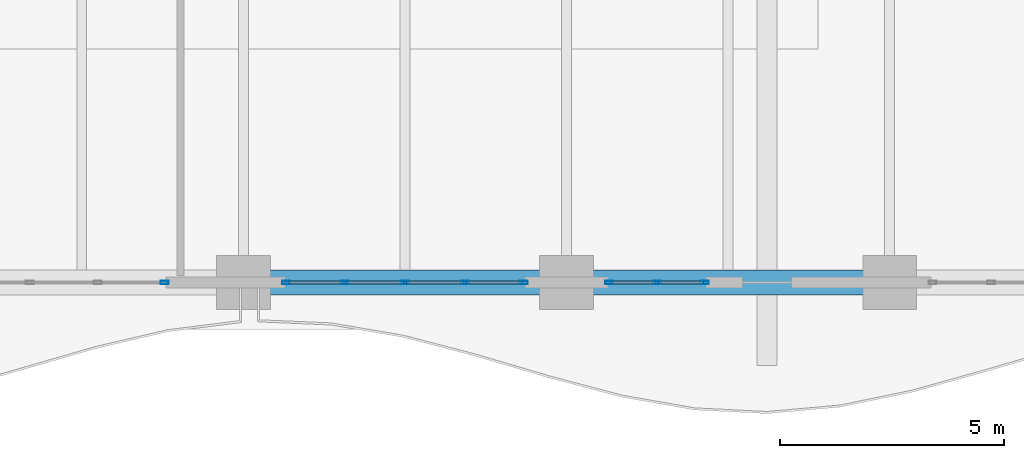
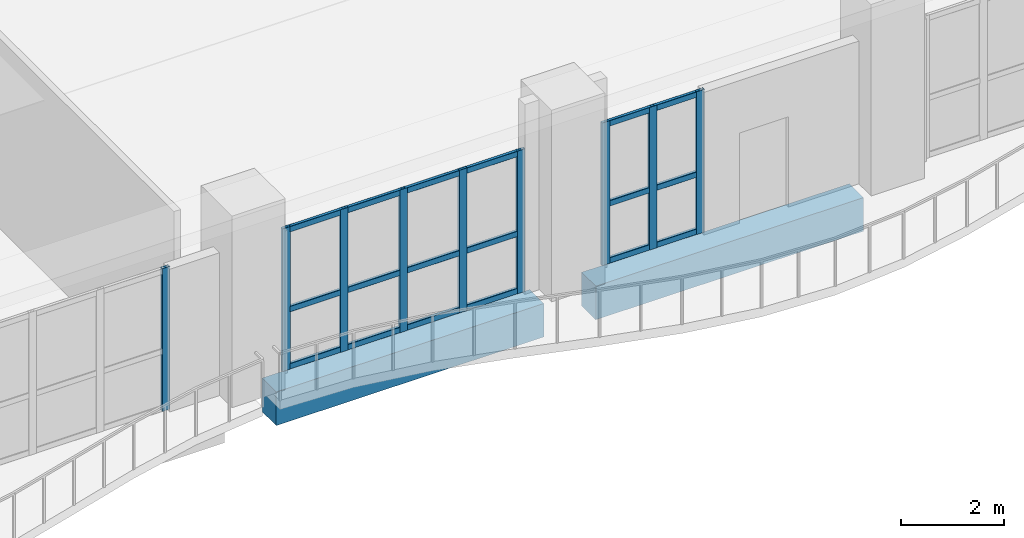
# One storey, part 14 of 37: 27 members, 2 beams, 3 elements without a shape of their own.
"""IFC4 building model written with IfcOpenShell, lengths in metres."""

from ifc_helpers import new_model, si_unit, direction, frame, origin, origin_2d, place, context, subcontext, project, spatial, rectangle, hollow_rectangle, extrude, material, layer, layer_set, material_profile, profile_set, type_object, element, aggregate, save


model = new_model("IFC4")

# Units and contexts
model_context = context("Model", 3, precision=1e-05, world=origin(), true_north=direction((0.0, 1.0)))
body_context = subcontext(model_context, "Body", "Model", "MODEL_VIEW")
ifc_project = project(units=[si_unit("LENGTHUNIT", "METRE"), si_unit("AREAUNIT", "SQUARE_METRE"), si_unit("VOLUMEUNIT", "CUBIC_METRE"), si_unit("PLANEANGLEUNIT", "RADIAN"), si_unit("MASSUNIT", "GRAM", prefix="KILO")], contexts=[model_context])

# Site, building, storey
site_placement = place(None, origin())
site = spatial("IfcSite", under=ifc_project, at=site_placement, CompositionType="ELEMENT")
building_placement = place(site_placement, origin())
building = spatial("IfcBuilding", under=site, at=building_placement, Name="Kaelvorn Grand Hotel", CompositionType="ELEMENT")
storey_placement = place(building_placement, frame((0.0, 0.0, 224.35009765625)))
storey = spatial("IfcBuildingStorey", under=building, at=storey_placement, Name="L55", CompositionType="ELEMENT", Elevation=224.35009765625)

# Beams
ifc_material_1 = material(Name="Concrete C50/60", Category="concrete")
ifc_material_profile_1 = material_profile(ifc_material_1, rectangle(XDim=0.550048828125, YDim=0.800048828125, at=origin_2d()), Name="RC SPANDREL 550x800")
ifc_profile_set_1 = profile_set([ifc_material_profile_1], Name="Concrete C50/60")
beam_type = type_object("IfcBeamType", Name="BM-SP-550x800-C50", PredefinedType="SPANDREL", material=ifc_profile_set_1)
beam_1_placement = place(storey_placement, frame((53.985107421875, 3.0, -0.64013671875), z_axis=(1.0, 0.0, 0.0), x_axis=(0.0, 1.0, 0.0)))
element("IfcBeam", 1, at=beam_1_placement, inside=storey, type_object=beam_type, Name="L55 South Perimeter Spandrel 08", PredefinedType="SPANDREL", context=body_context, shape_type="SweptSolid", body=[
    extrude(rectangle(XDim=0.550048828125, YDim=0.800048828125, at=origin_2d()), origin(), (0.0, 0.0, 1.0), 6.02978515625),
])
beam_2_placement = place(storey_placement, frame((61.18505859375, 3.0, -0.64013671875), z_axis=(1.0, 0.0, 0.0), x_axis=(0.0, 1.0, 0.0)))
element("IfcBeam", 2, at=beam_2_placement, inside=storey, type_object=beam_type, Name="L55 South Perimeter Spandrel 09", PredefinedType="SPANDREL", context=body_context, shape_type="SweptSolid", body=[
    extrude(rectangle(XDim=0.550048828125, YDim=0.800048828125, at=origin_2d()), origin(), (0.0, 0.0, 1.0), 6.030029296875),
])

# Curtain wall, member
ifc_material_2 = material(Name="Anodised Aluminium", Category="aluminium")
ifc_layer = layer(ifc_material_2, 0.179931640625)
ifc_layer_set = layer_set([ifc_layer], Name="Anodised Aluminium")
curtain_wall_type = type_object("IfcCurtainWallType", Name="CW-SYS4", PredefinedType="NOTDEFINED", material=ifc_layer_set)
curtain_wall_1_placement = place(storey_placement, origin())
curtain_wall_1 = element("IfcCurtainWall", 3, at=curtain_wall_1_placement, inside=storey, type_object=curtain_wall_type, Name="L55 Unitised Curtain Wall CW4 (CW-L55-SB3-01)", PredefinedType="NOTDEFINED")
ifc_material_profile_2 = material_profile(ifc_material_2, hollow_rectangle(XDim=0.070068359375, YDim=0.179931640625, WallThickness=0.00390625, InnerFilletRadius=0.00390625, OuterFilletRadius=0.008056640625, at=origin_2d()), Name="ALU MULL 70x180")
ifc_profile_set_2 = profile_set([ifc_material_profile_2], Name="Anodised Aluminium")
member_type_1 = type_object("IfcMemberType", Name="CW-SYS4-MULL", PredefinedType="MULLION", material=ifc_profile_set_2)
member_1_placement = place(storey_placement, frame((51.64501953125, 3.0, 0.0), z_axis=(0.0, 0.0, 1.0), x_axis=(0.0, 1.0, 0.0)))
member_1 = element("IfcMember", 4, at=member_1_placement, type_object=member_type_1, Name="CW4 mullion 4", PredefinedType="MULLION", context=body_context, shape_type="SweptSolid", body=[
    extrude(hollow_rectangle(XDim=0.070068359375, YDim=0.179931640625, WallThickness=0.00390625, InnerFilletRadius=0.00390625, OuterFilletRadius=0.008056640625, at=origin_2d()), origin(), (0.0, 0.0, 1.0), 3.39990234375),
])
aggregate(curtain_wall_1, [member_1])

# Curtain wall, members
curtain_wall_2_placement = place(storey_placement, origin())
curtain_wall_2 = element("IfcCurtainWall", 5, at=curtain_wall_2_placement, inside=storey, type_object=curtain_wall_type, Name="L55 Unitised Curtain Wall CW4 (CW-L55-SB3-02)", PredefinedType="NOTDEFINED")
member_2_placement = place(storey_placement, frame((54.35498046875, 3.0, 0.0), z_axis=(0.0, 0.0, 1.0), x_axis=(0.0, 1.0, 0.0)))
member_2 = element("IfcMember", 6, at=member_2_placement, type_object=member_type_1, Name="CW4 mullion 1", PredefinedType="MULLION", context=body_context, shape_type="SweptSolid", body=[
    extrude(hollow_rectangle(XDim=0.070068359375, YDim=0.179931640625, WallThickness=0.00390625, InnerFilletRadius=0.00390625, OuterFilletRadius=0.008056640625, at=origin_2d()), origin(), (0.0, 0.0, 1.0), 3.39990234375),
])
member_3_placement = place(storey_placement, frame((55.659912109375, 3.0, 0.0), z_axis=(0.0, 0.0, 1.0), x_axis=(0.0, 1.0, 0.0)))
member_3 = element("IfcMember", 7, at=member_3_placement, type_object=member_type_1, Name="CW4 mullion 2", PredefinedType="MULLION", context=body_context, shape_type="SweptSolid", body=[
    extrude(hollow_rectangle(XDim=0.070068359375, YDim=0.179931640625, WallThickness=0.00390625, InnerFilletRadius=0.00390625, OuterFilletRadius=0.008056640625, at=origin_2d()), origin(), (0.0, 0.0, 1.0), 3.39990234375),
])
member_4_placement = place(storey_placement, frame((57.0, 3.0, 0.0), z_axis=(0.0, 0.0, 1.0), x_axis=(0.0, 1.0, 0.0)))
member_4 = element("IfcMember", 8, at=member_4_placement, type_object=member_type_1, Name="CW4 mullion 3", PredefinedType="MULLION", context=body_context, shape_type="SweptSolid", body=[
    extrude(hollow_rectangle(XDim=0.070068359375, YDim=0.179931640625, WallThickness=0.00390625, InnerFilletRadius=0.00390625, OuterFilletRadius=0.008056640625, at=origin_2d()), origin(), (0.0, 0.0, 1.0), 3.39990234375),
])
member_5_placement = place(storey_placement, frame((58.340087890625, 3.0, 0.0), z_axis=(0.0, 0.0, 1.0), x_axis=(0.0, 1.0, 0.0)))
member_5 = element("IfcMember", 9, at=member_5_placement, type_object=member_type_1, Name="CW4 mullion 4", PredefinedType="MULLION", context=body_context, shape_type="SweptSolid", body=[
    extrude(hollow_rectangle(XDim=0.070068359375, YDim=0.179931640625, WallThickness=0.00390625, InnerFilletRadius=0.00390625, OuterFilletRadius=0.008056640625, at=origin_2d()), origin(), (0.0, 0.0, 1.0), 3.39990234375),
])
member_6_placement = place(storey_placement, frame((59.64501953125, 3.0, 0.0), z_axis=(0.0, 0.0, 1.0), x_axis=(0.0, 1.0, 0.0)))
member_6 = element("IfcMember", 10, at=member_6_placement, type_object=member_type_1, Name="CW4 mullion 5", PredefinedType="MULLION", context=body_context, shape_type="SweptSolid", body=[
    extrude(hollow_rectangle(XDim=0.070068359375, YDim=0.179931640625, WallThickness=0.00390625, InnerFilletRadius=0.00390625, OuterFilletRadius=0.008056640625, at=origin_2d()), origin(), (0.0, 0.0, 1.0), 3.39990234375),
])

curtain_wall_3_placement = place(storey_placement, origin())
curtain_wall_3 = element("IfcCurtainWall", 11, at=curtain_wall_3_placement, inside=storey, type_object=curtain_wall_type, Name="L55 Unitised Curtain Wall CW4 (CW-L55-SB3-03)", PredefinedType="NOTDEFINED")
member_7_placement = place(storey_placement, frame((61.554931640625, 3.0, 0.0), z_axis=(0.0, 0.0, 1.0), x_axis=(0.0, 1.0, 0.0)))
member_7 = element("IfcMember", 12, at=member_7_placement, type_object=member_type_1, Name="CW4 mullion 1", PredefinedType="MULLION", context=body_context, shape_type="SweptSolid", body=[
    extrude(hollow_rectangle(XDim=0.070068359375, YDim=0.179931640625, WallThickness=0.00390625, InnerFilletRadius=0.00390625, OuterFilletRadius=0.008056640625, at=origin_2d()), origin(), (0.0, 0.0, 1.0), 3.39990234375),
])
member_8_placement = place(storey_placement, frame((62.618408203125, 3.0, 0.0), z_axis=(0.0, 0.0, 1.0), x_axis=(0.0, 1.0, 0.0)))
member_8 = element("IfcMember", 13, at=member_8_placement, type_object=member_type_1, Name="CW4 mullion 2", PredefinedType="MULLION", context=body_context, shape_type="SweptSolid", body=[
    extrude(hollow_rectangle(XDim=0.070068359375, YDim=0.179931640625, WallThickness=0.00390625, InnerFilletRadius=0.00390625, OuterFilletRadius=0.008056640625, at=origin_2d()), origin(), (0.0, 0.0, 1.0), 3.39990234375),
])
member_9_placement = place(storey_placement, frame((63.681640625, 3.0, 0.0), z_axis=(0.0, 0.0, 1.0), x_axis=(0.0, 1.0, 0.0)))
member_9 = element("IfcMember", 14, at=member_9_placement, type_object=member_type_1, Name="CW4 mullion 3", PredefinedType="MULLION", context=body_context, shape_type="SweptSolid", body=[
    extrude(hollow_rectangle(XDim=0.070068359375, YDim=0.179931640625, WallThickness=0.00390625, InnerFilletRadius=0.00390625, OuterFilletRadius=0.008056640625, at=origin_2d()), origin(), (0.0, 0.0, 1.0), 3.39990234375),
])

# Member
ifc_material_profile_3 = material_profile(ifc_material_2, hollow_rectangle(XDim=0.070068359375, YDim=0.135009765625, WallThickness=0.00341796875, InnerFilletRadius=0.00341796875, OuterFilletRadius=0.007080078125, at=origin_2d()), Name="ALU TRAN 70x135")
ifc_profile_set_3 = profile_set([ifc_material_profile_3], Name="Anodised Aluminium")
member_type_2 = type_object("IfcMemberType", Name="CW-SYS4-TRAN", PredefinedType="NOTDEFINED", material=ifc_profile_set_3)
member_10_placement = place(storey_placement, frame((54.389892578125, 3.0, 0.0673828125), z_axis=(1.0, 0.0, 0.0), x_axis=(0.0, 1.0, 0.0)))
member_10 = element("IfcMember", 15, at=member_10_placement, type_object=member_type_2, Name="CW4 transom 1.1", ObjectType="TRANSOM", PredefinedType="USERDEFINED", context=body_context, shape_type="SweptSolid", body=[
    extrude(hollow_rectangle(XDim=0.070068359375, YDim=0.135009765625, WallThickness=0.00341796875, InnerFilletRadius=0.00341796875, OuterFilletRadius=0.007080078125, at=origin_2d()), origin(), (0.0, 0.0, 1.0), 1.235107421875),
])

member_11_placement = place(storey_placement, frame((54.389892578125, 3.0, 1.427978515625), z_axis=(1.0, 0.0, 0.0), x_axis=(0.0, 1.0, 0.0)))
member_11 = element("IfcMember", 16, at=member_11_placement, type_object=member_type_2, Name="CW4 transom 1.2", ObjectType="TRANSOM", PredefinedType="USERDEFINED", context=body_context, shape_type="SweptSolid", body=[
    extrude(hollow_rectangle(XDim=0.070068359375, YDim=0.135009765625, WallThickness=0.00341796875, InnerFilletRadius=0.00341796875, OuterFilletRadius=0.007080078125, at=origin_2d()), origin(), (0.0, 0.0, 1.0), 1.235107421875),
])

member_12_placement = place(storey_placement, frame((54.389892578125, 3.0, 3.33251953125), z_axis=(1.0, 0.0, 0.0), x_axis=(0.0, 1.0, 0.0)))
member_12 = element("IfcMember", 17, at=member_12_placement, type_object=member_type_2, Name="CW4 transom 1.3", ObjectType="TRANSOM", PredefinedType="USERDEFINED", context=body_context, shape_type="SweptSolid", body=[
    extrude(hollow_rectangle(XDim=0.070068359375, YDim=0.135009765625, WallThickness=0.00341796875, InnerFilletRadius=0.00341796875, OuterFilletRadius=0.007080078125, at=origin_2d()), origin(), (0.0, 0.0, 1.0), 1.235107421875),
])

member_13_placement = place(storey_placement, frame((55.695068359375, 3.0, 0.0673828125), z_axis=(1.0, 0.0, 0.0), x_axis=(0.0, 1.0, 0.0)))
member_13 = element("IfcMember", 18, at=member_13_placement, type_object=member_type_2, Name="CW4 transom 2.1", ObjectType="TRANSOM", PredefinedType="USERDEFINED", context=body_context, shape_type="SweptSolid", body=[
    extrude(hollow_rectangle(XDim=0.070068359375, YDim=0.135009765625, WallThickness=0.00341796875, InnerFilletRadius=0.00341796875, OuterFilletRadius=0.007080078125, at=origin_2d()), origin(), (0.0, 0.0, 1.0), 1.27001953125),
])

member_14_placement = place(storey_placement, frame((55.695068359375, 3.0, 1.427978515625), z_axis=(1.0, 0.0, 0.0), x_axis=(0.0, 1.0, 0.0)))
member_14 = element("IfcMember", 19, at=member_14_placement, type_object=member_type_2, Name="CW4 transom 2.2", ObjectType="TRANSOM", PredefinedType="USERDEFINED", context=body_context, shape_type="SweptSolid", body=[
    extrude(hollow_rectangle(XDim=0.070068359375, YDim=0.135009765625, WallThickness=0.00341796875, InnerFilletRadius=0.00341796875, OuterFilletRadius=0.007080078125, at=origin_2d()), origin(), (0.0, 0.0, 1.0), 1.27001953125),
])

member_15_placement = place(storey_placement, frame((55.695068359375, 3.0, 3.33251953125), z_axis=(1.0, 0.0, 0.0), x_axis=(0.0, 1.0, 0.0)))
member_15 = element("IfcMember", 20, at=member_15_placement, type_object=member_type_2, Name="CW4 transom 2.3", ObjectType="TRANSOM", PredefinedType="USERDEFINED", context=body_context, shape_type="SweptSolid", body=[
    extrude(hollow_rectangle(XDim=0.070068359375, YDim=0.135009765625, WallThickness=0.00341796875, InnerFilletRadius=0.00341796875, OuterFilletRadius=0.007080078125, at=origin_2d()), origin(), (0.0, 0.0, 1.0), 1.27001953125),
])

member_16_placement = place(storey_placement, frame((57.034912109375, 3.0, 0.0673828125), z_axis=(1.0, 0.0, 0.0), x_axis=(0.0, 1.0, 0.0)))
member_16 = element("IfcMember", 21, at=member_16_placement, type_object=member_type_2, Name="CW4 transom 3.1", ObjectType="TRANSOM", PredefinedType="USERDEFINED", context=body_context, shape_type="SweptSolid", body=[
    extrude(hollow_rectangle(XDim=0.070068359375, YDim=0.135009765625, WallThickness=0.00341796875, InnerFilletRadius=0.00341796875, OuterFilletRadius=0.007080078125, at=origin_2d()), origin(), (0.0, 0.0, 1.0), 1.27001953125),
])

member_17_placement = place(storey_placement, frame((57.034912109375, 3.0, 1.427978515625), z_axis=(1.0, 0.0, 0.0), x_axis=(0.0, 1.0, 0.0)))
member_17 = element("IfcMember", 22, at=member_17_placement, type_object=member_type_2, Name="CW4 transom 3.2", ObjectType="TRANSOM", PredefinedType="USERDEFINED", context=body_context, shape_type="SweptSolid", body=[
    extrude(hollow_rectangle(XDim=0.070068359375, YDim=0.135009765625, WallThickness=0.00341796875, InnerFilletRadius=0.00341796875, OuterFilletRadius=0.007080078125, at=origin_2d()), origin(), (0.0, 0.0, 1.0), 1.27001953125),
])

member_18_placement = place(storey_placement, frame((57.034912109375, 3.0, 3.33251953125), z_axis=(1.0, 0.0, 0.0), x_axis=(0.0, 1.0, 0.0)))
member_18 = element("IfcMember", 23, at=member_18_placement, type_object=member_type_2, Name="CW4 transom 3.3", ObjectType="TRANSOM", PredefinedType="USERDEFINED", context=body_context, shape_type="SweptSolid", body=[
    extrude(hollow_rectangle(XDim=0.070068359375, YDim=0.135009765625, WallThickness=0.00341796875, InnerFilletRadius=0.00341796875, OuterFilletRadius=0.007080078125, at=origin_2d()), origin(), (0.0, 0.0, 1.0), 1.27001953125),
])

member_19_placement = place(storey_placement, frame((58.375, 3.0, 0.0673828125), z_axis=(1.0, 0.0, 0.0), x_axis=(0.0, 1.0, 0.0)))
member_19 = element("IfcMember", 24, at=member_19_placement, type_object=member_type_2, Name="CW4 transom 4.1", ObjectType="TRANSOM", PredefinedType="USERDEFINED", context=body_context, shape_type="SweptSolid", body=[
    extrude(hollow_rectangle(XDim=0.070068359375, YDim=0.135009765625, WallThickness=0.00341796875, InnerFilletRadius=0.00341796875, OuterFilletRadius=0.007080078125, at=origin_2d()), origin(), (0.0, 0.0, 1.0), 1.235107421875),
])

member_20_placement = place(storey_placement, frame((58.375, 3.0, 1.427978515625), z_axis=(1.0, 0.0, 0.0), x_axis=(0.0, 1.0, 0.0)))
member_20 = element("IfcMember", 25, at=member_20_placement, type_object=member_type_2, Name="CW4 transom 4.2", ObjectType="TRANSOM", PredefinedType="USERDEFINED", context=body_context, shape_type="SweptSolid", body=[
    extrude(hollow_rectangle(XDim=0.070068359375, YDim=0.135009765625, WallThickness=0.00341796875, InnerFilletRadius=0.00341796875, OuterFilletRadius=0.007080078125, at=origin_2d()), origin(), (0.0, 0.0, 1.0), 1.235107421875),
])

member_21_placement = place(storey_placement, frame((58.375, 3.0, 3.33251953125), z_axis=(1.0, 0.0, 0.0), x_axis=(0.0, 1.0, 0.0)))
member_21 = element("IfcMember", 26, at=member_21_placement, type_object=member_type_2, Name="CW4 transom 4.3", ObjectType="TRANSOM", PredefinedType="USERDEFINED", context=body_context, shape_type="SweptSolid", body=[
    extrude(hollow_rectangle(XDim=0.070068359375, YDim=0.135009765625, WallThickness=0.00341796875, InnerFilletRadius=0.00341796875, OuterFilletRadius=0.007080078125, at=origin_2d()), origin(), (0.0, 0.0, 1.0), 1.235107421875),
])

aggregate(curtain_wall_2, [member_2, member_3, member_4, member_5, member_6, member_10, member_11, member_12, member_13, member_14, member_15, member_16, member_17, member_18, member_19, member_20, member_21])

member_22_placement = place(storey_placement, frame((61.590087890625, 3.0, 0.0673828125), z_axis=(1.0, 0.0, 0.0), x_axis=(0.0, 1.0, 0.0)))
member_22 = element("IfcMember", 27, at=member_22_placement, type_object=member_type_2, Name="CW4 transom 1.1", ObjectType="TRANSOM", PredefinedType="USERDEFINED", context=body_context, shape_type="SweptSolid", body=[
    extrude(hollow_rectangle(XDim=0.070068359375, YDim=0.135009765625, WallThickness=0.00341796875, InnerFilletRadius=0.00341796875, OuterFilletRadius=0.007080078125, at=origin_2d()), origin(), (0.0, 0.0, 1.0), 0.9931640625),
])

member_23_placement = place(storey_placement, frame((61.590087890625, 3.0, 1.427978515625), z_axis=(1.0, 0.0, 0.0), x_axis=(0.0, 1.0, 0.0)))
member_23 = element("IfcMember", 28, at=member_23_placement, type_object=member_type_2, Name="CW4 transom 1.2", ObjectType="TRANSOM", PredefinedType="USERDEFINED", context=body_context, shape_type="SweptSolid", body=[
    extrude(hollow_rectangle(XDim=0.070068359375, YDim=0.135009765625, WallThickness=0.00341796875, InnerFilletRadius=0.00341796875, OuterFilletRadius=0.007080078125, at=origin_2d()), origin(), (0.0, 0.0, 1.0), 0.9931640625),
])

member_24_placement = place(storey_placement, frame((61.590087890625, 3.0, 3.33251953125), z_axis=(1.0, 0.0, 0.0), x_axis=(0.0, 1.0, 0.0)))
member_24 = element("IfcMember", 29, at=member_24_placement, type_object=member_type_2, Name="CW4 transom 1.3", ObjectType="TRANSOM", PredefinedType="USERDEFINED", context=body_context, shape_type="SweptSolid", body=[
    extrude(hollow_rectangle(XDim=0.070068359375, YDim=0.135009765625, WallThickness=0.00341796875, InnerFilletRadius=0.00341796875, OuterFilletRadius=0.007080078125, at=origin_2d()), origin(), (0.0, 0.0, 1.0), 0.9931640625),
])

member_25_placement = place(storey_placement, frame((62.6533203125, 3.0, 0.0673828125), z_axis=(1.0, 0.0, 0.0), x_axis=(0.0, 1.0, 0.0)))
member_25 = element("IfcMember", 30, at=member_25_placement, type_object=member_type_2, Name="CW4 transom 2.1", ObjectType="TRANSOM", PredefinedType="USERDEFINED", context=body_context, shape_type="SweptSolid", body=[
    extrude(hollow_rectangle(XDim=0.070068359375, YDim=0.135009765625, WallThickness=0.00341796875, InnerFilletRadius=0.00341796875, OuterFilletRadius=0.007080078125, at=origin_2d()), origin(), (0.0, 0.0, 1.0), 0.993408203125),
])

member_26_placement = place(storey_placement, frame((62.6533203125, 3.0, 1.427978515625), z_axis=(1.0, 0.0, 0.0), x_axis=(0.0, 1.0, 0.0)))
member_26 = element("IfcMember", 31, at=member_26_placement, type_object=member_type_2, Name="CW4 transom 2.2", ObjectType="TRANSOM", PredefinedType="USERDEFINED", context=body_context, shape_type="SweptSolid", body=[
    extrude(hollow_rectangle(XDim=0.070068359375, YDim=0.135009765625, WallThickness=0.00341796875, InnerFilletRadius=0.00341796875, OuterFilletRadius=0.007080078125, at=origin_2d()), origin(), (0.0, 0.0, 1.0), 0.993408203125),
])

member_27_placement = place(storey_placement, frame((62.6533203125, 3.0, 3.33251953125), z_axis=(1.0, 0.0, 0.0), x_axis=(0.0, 1.0, 0.0)))
member_27 = element("IfcMember", 32, at=member_27_placement, type_object=member_type_2, Name="CW4 transom 2.3", ObjectType="TRANSOM", PredefinedType="USERDEFINED", context=body_context, shape_type="SweptSolid", body=[
    extrude(hollow_rectangle(XDim=0.070068359375, YDim=0.135009765625, WallThickness=0.00341796875, InnerFilletRadius=0.00341796875, OuterFilletRadius=0.007080078125, at=origin_2d()), origin(), (0.0, 0.0, 1.0), 0.993408203125),
])

aggregate(curtain_wall_3, [member_7, member_8, member_9, member_22, member_23, member_24, member_25, member_26, member_27])

save(model, "model.ifc")
